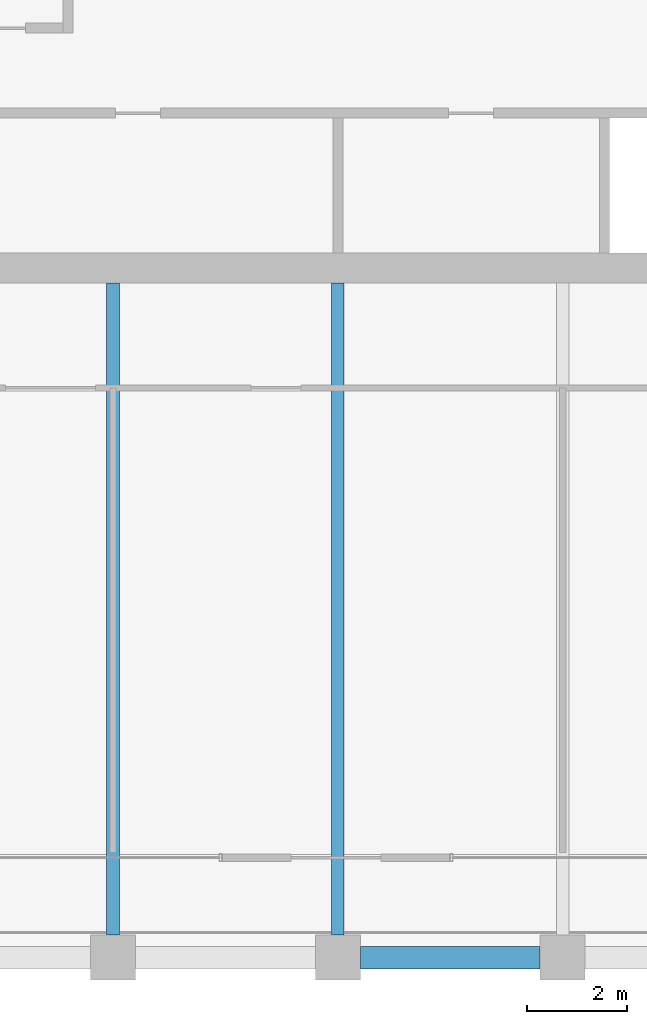
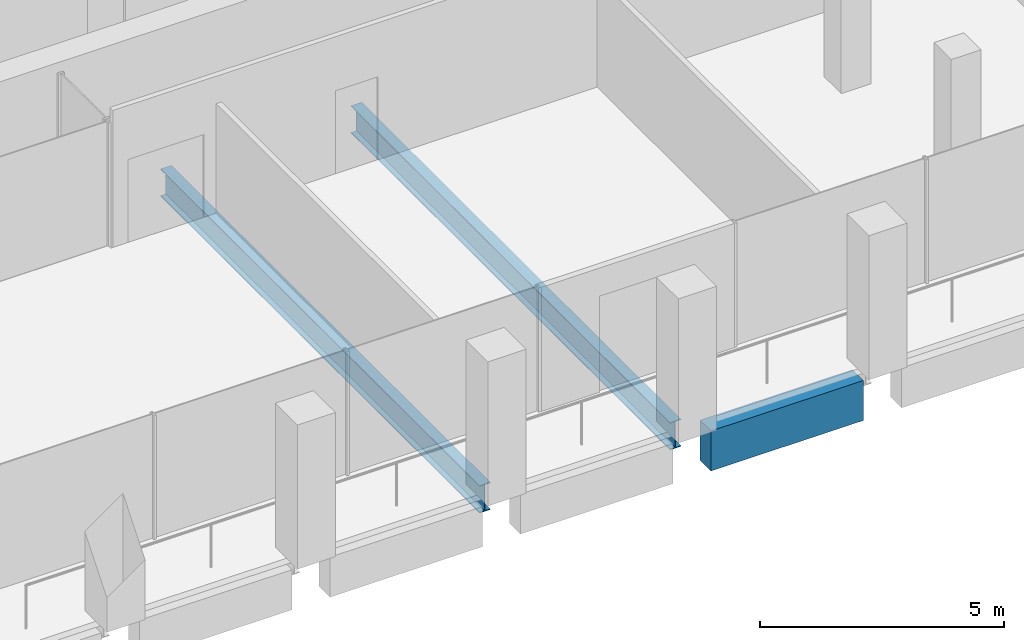
# One storey, part 8 of 40: 3 beams.
"""IFC4 building model written with IfcOpenShell, lengths in metres."""

from ifc_helpers import new_model, si_unit, direction, frame, origin, origin_2d, place, context, subcontext, project, spatial, rectangle, i_section, extrude, material, material_profile, profile_set, type_object, element, save


model = new_model("IFC4")

# Units and contexts
model_context = context("Model", 3, precision=1e-05, world=origin(), true_north=direction((0.0, 1.0)))
body_context = subcontext(model_context, "Body", "Model", "MODEL_VIEW")
ifc_project = project(units=[si_unit("LENGTHUNIT", "METRE"), si_unit("AREAUNIT", "SQUARE_METRE"), si_unit("VOLUMEUNIT", "CUBIC_METRE"), si_unit("PLANEANGLEUNIT", "RADIAN"), si_unit("MASSUNIT", "GRAM", prefix="KILO")], contexts=[model_context])

# Site, building, storey
site_placement = place(None, origin())
site = spatial("IfcSite", under=ifc_project, at=site_placement, CompositionType="ELEMENT")
building_placement = place(site_placement, origin())
building = spatial("IfcBuilding", under=site, at=building_placement, Name="Altepetl Exchange Towers", CompositionType="ELEMENT")
storey_placement = place(building_placement, frame((0.0, 0.0, 154.60009765625)))
storey = spatial("IfcBuildingStorey", under=building, at=storey_placement, Name="L38", CompositionType="ELEMENT", Elevation=154.60009765625)

# Beams
ifc_material_1 = material(Name="Steel S355", Category="steel")
ifc_material_profile_1 = material_profile(ifc_material_1, i_section(OverallWidth=0.25390625, OverallDepth=0.68408203125, WebThickness=0.012451171875, FlangeThickness=0.018798828125, at=origin_2d()), Name="W27X94")
ifc_profile_set_1 = profile_set([ifc_material_profile_1], Name="Steel S355")
beam_type_1 = type_object("IfcBeamType", Name="Floor beam W27X94", PredefinedType="BEAM", material=ifc_profile_set_1)
for number, where, z_axis, x_axis, name in (
    (1, (45.0, 27.449951171875, -0.4921875), (0.0, 1.0, 0.0), (-1.0, 0.0, 0.0), "bm:A:L38:015"),
    (2, (49.5, 27.449951171875, -0.4921875), (0.0, 1.0, 0.0), (-1.0, 0.0, 0.0), "bm:A:L38:016"),
):
    element("IfcBeam", number, at=place(storey_placement, frame(where, z_axis=z_axis, x_axis=x_axis)), inside=storey, type_object=beam_type_1, Name=name, PredefinedType="BEAM", context=body_context, shape_type="SweptSolid", body=[
        extrude(i_section(OverallWidth=0.25390625, OverallDepth=0.68408203125, WebThickness=0.012451171875, FlangeThickness=0.018798828125, at=origin_2d()), origin(), (0.0, 0.0, 1.0), 13.050048828125),
    ])
ifc_material_2 = material(Name="Concrete C50/60 precast with cantera blanca facing", Category="concrete")
ifc_material_profile_2 = material_profile(ifc_material_2, rectangle(XDim=0.449951171875, YDim=1.0, at=origin_2d()), Name="450 x 1000")
ifc_profile_set_2 = profile_set([ifc_material_profile_2], Name="Concrete C50/60 precast with cantera blanca facing")
beam_type_2 = type_object("IfcBeamType", Name="Spandrel beam 450x1000 cantera blanca", PredefinedType="SPANDREL", material=ifc_profile_set_2)
beam_placement = place(storey_placement, frame((49.949951171875, 27.0, -0.650146484375), z_axis=(1.0, 0.0, 0.0), x_axis=(0.0, 1.0, 0.0)))
element("IfcBeam", 3, at=beam_placement, inside=storey, type_object=beam_type_2, Name="sp:A:L38:004", PredefinedType="SPANDREL", context=body_context, shape_type="SweptSolid", body=[
    extrude(rectangle(XDim=0.449951171875, YDim=1.0, at=origin_2d()), origin(), (0.0, 0.0, 1.0), 3.60009765625),
])

save(model, "model.ifc")
